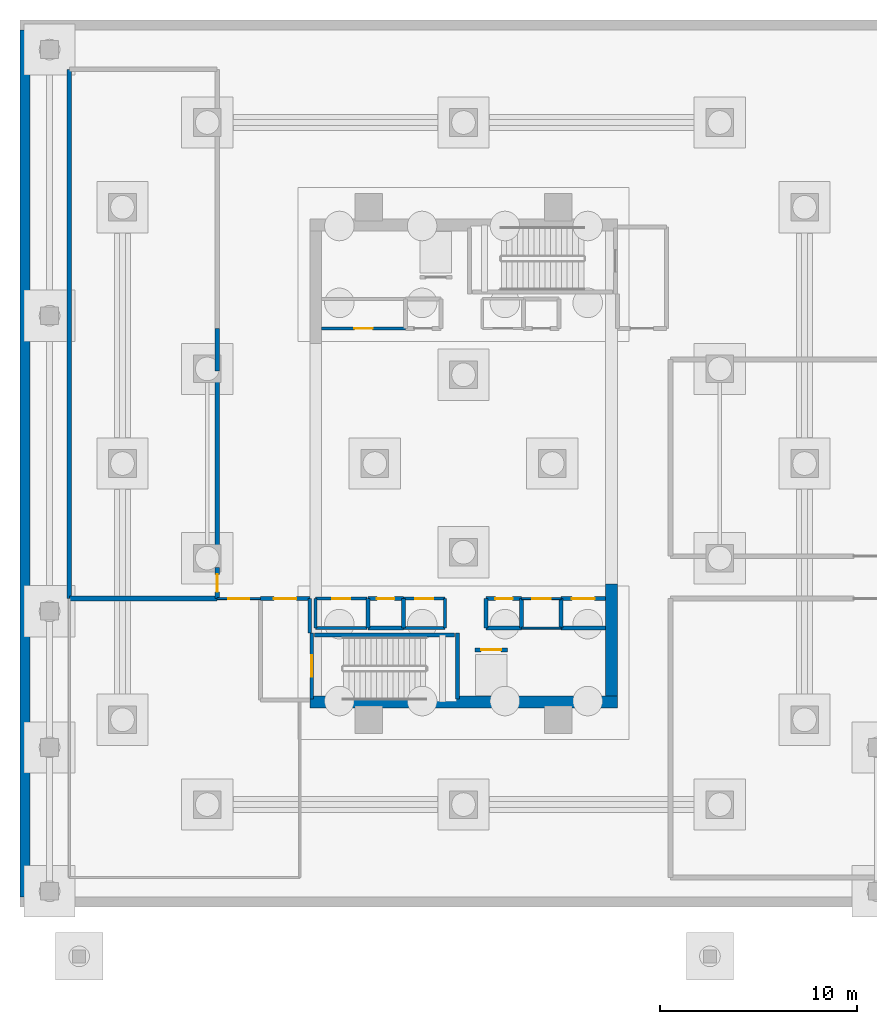
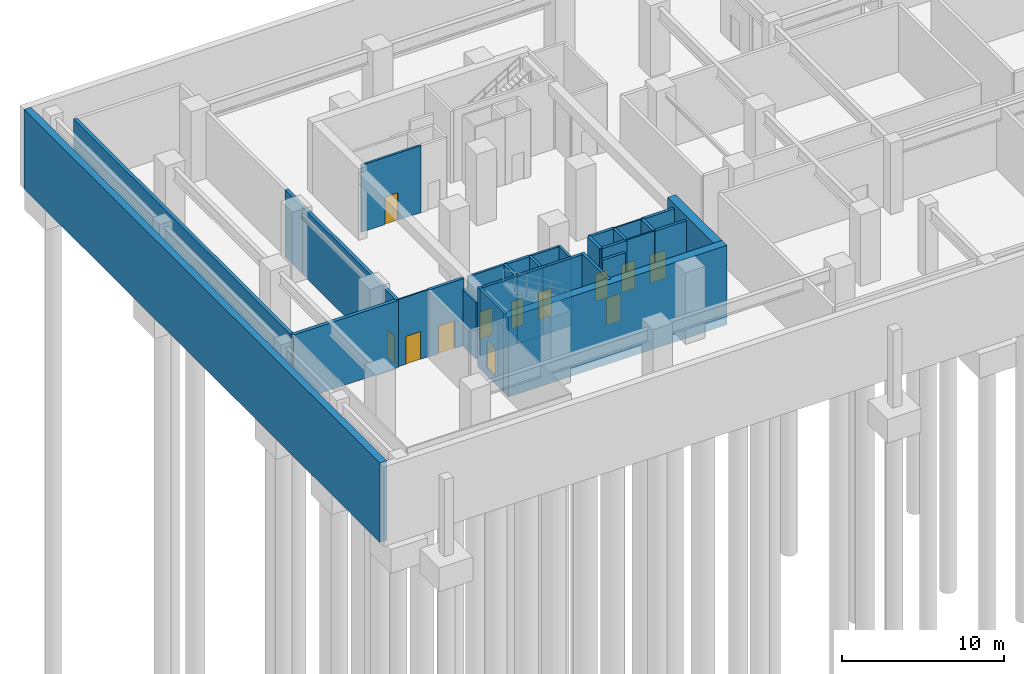
# One storey, part 4 of 14: 35 walls, 12 doors, 12 openings.
"""IFC4 building model written with IfcOpenShell, lengths in metres."""

from ifc_helpers import new_model, si_unit, direction, frame, frame_2d, origin, place, context, subcontext, project, spatial, rectangle, extrude, material, layer, layer_set, type_object, element, fill, save


model = new_model("IFC4")

# Units and contexts
model_context = context("Model", 3, precision=1e-05, world=origin(), true_north=direction((0.0, 1.0)))
body_context = subcontext(model_context, "Body", "Model", "MODEL_VIEW")
ifc_project = project(units=[si_unit("LENGTHUNIT", "METRE"), si_unit("AREAUNIT", "SQUARE_METRE"), si_unit("VOLUMEUNIT", "CUBIC_METRE"), si_unit("PLANEANGLEUNIT", "RADIAN"), si_unit("MASSUNIT", "GRAM", prefix="KILO")], contexts=[model_context])

# Site, building, storey
site_placement = place(None, origin())
site = spatial("IfcSite", under=ifc_project, at=site_placement, CompositionType="ELEMENT")
building_placement = place(site_placement, origin())
building = spatial("IfcBuilding", under=site, at=building_placement, Name="Thornwick Lancets Civic Towers", CompositionType="ELEMENT")
storey_placement = place(building_placement, frame((0.0, 0.0, -5.39990234375)))
storey = spatial("IfcBuildingStorey", under=building, at=storey_placement, Name="B01", CompositionType="ELEMENT", Elevation=-5.39990234375)

# Wall, opening, door
ifc_material_1 = material(Name="Concrete blockwork C40/50", Category="masonry")
ifc_layer_1 = layer(ifc_material_1, 0.199951171875, Name="Concrete blockwork C40/50")
ifc_layer_set_1 = layer_set([ifc_layer_1], Name="Concrete blockwork C40/50")
wall_type_1 = type_object("IfcWallType", Name="WALL_COMP_200", PredefinedType="STANDARD", material=ifc_layer_set_1)
wall_1_placement = place(storey_placement, frame((26.080078125, 17.550048828125, 0.0), z_axis=(0.0, 0.0, 1.0), x_axis=(1.0, 0.0, 0.0)))
wall_1 = element("IfcWall", 1, at=wall_1_placement, inside=storey, type_object=wall_type_1, Name="B01 Hoistway Front Wall FL-A1", PredefinedType="STANDARD", context=body_context, shape_type="SweptSolid", body=[
    extrude(rectangle(XDim=1.639892578125, YDim=0.199951171875, at=frame_2d((0.81982421875, 0.0))), origin(), (0.0, 0.0, 1.0), 5.059814453125),
])
opening_1_placement = place(wall_1_placement, frame((0.31005859375, 0.0, 0.0)))
opening_1 = element("IfcOpeningElement", 2, at=opening_1_placement, cuts=wall_1, Name="Opening LD-FL-A1", PredefinedType="OPENING", context=body_context, shape_type="SweptSolid", body=[
    extrude(rectangle(XDim=1.02001953125, YDim=2.06005859375, at=frame_2d((0.510009765625, 1.030029296875))), frame((0.0, 0.10986328125, 0.0), z_axis=(0.0, -1.0, 0.0), x_axis=(1.0, 0.0, 0.0)), (0.0, 0.0, 1.0), 0.219970703125),
])
ifc_material_2 = material(Name="Brushed bronze stainless steel", Category="steel")
door_type_1 = type_object("IfcDoorType", Name="DOOR_LIFT_SLIDE", OperationType="SLIDING_TO_LEFT", PredefinedType="DOOR", material=ifc_material_2)
door_1_placement = place(opening_1_placement, origin())
door_1 = element("IfcDoor", 3, at=door_1_placement, inside=storey, type_object=door_type_1, Name="B01 Sliding Lift Landing Door LD-FL-A1", OperationType="SLIDING_TO_LEFT", OverallHeight=2.06005859375, OverallWidth=1.02001953125, PredefinedType="DOOR", context=body_context, shape_type="SweptSolid", body=[
    extrude(rectangle(XDim=1.02001953125, YDim=2.06005859375, at=frame_2d((0.510009765625, 1.030029296875))), frame((0.0, 0.02490234375, 0.0), z_axis=(0.0, -1.0, 0.0), x_axis=(1.0, 0.0, 0.0)), (0.0, 0.0, 1.0), 0.050048828125),
])
fill(opening_1, door_1)

# Wall
wall_2_placement = place(storey_placement, frame((17.699951171875, 18.39990234375, 0.0), z_axis=(0.0, 0.0, 1.0), x_axis=(0.0, 1.0, 0.0)))
element("IfcWall", 4, at=wall_2_placement, inside=storey, type_object=wall_type_1, Name="B01 Partition B01-A-FFLOB1 E2", PredefinedType="STANDARD", context=body_context, shape_type="SweptSolid", body=[
    extrude(rectangle(XDim=1.75, YDim=0.199951171875, at=frame_2d((0.875, 0.0))), origin(), (0.0, 0.0, 1.0), 4.264892578125),
])

# Wall, opening, door
wall_3_placement = place(storey_placement, frame((17.699951171875, 20.14990234375, 0.0), z_axis=(0.0, 0.0, 1.0), x_axis=(-1.0, 0.0, 0.0)))
wall_3 = element("IfcWall", 5, at=wall_3_placement, inside=storey, type_object=wall_type_1, Name="B01 Partition B01-A-FFLOB1 E3", PredefinedType="STANDARD", context=body_context, shape_type="SweptSolid", body=[
    extrude(rectangle(XDim=2.5, YDim=0.199951171875, at=frame_2d((1.25, 0.0))), origin(), (0.0, 0.0, 1.0), 5.059814453125),
])
opening_2_placement = place(wall_3_placement, frame((0.675048828125, 0.0, 0.0)))
opening_2 = element("IfcOpeningElement", 6, at=opening_2_placement, cuts=wall_3, Name="Opening D-B01-0007", PredefinedType="OPENING", context=body_context, shape_type="SweptSolid", body=[
    extrude(rectangle(XDim=1.14990234375, YDim=2.10009765625, at=frame_2d((0.574951171875, 1.050048828125))), frame((0.0, 0.10986328125, 0.0), z_axis=(0.0, -1.0, 0.0), x_axis=(1.0, 0.0, 0.0)), (0.0, 0.0, 1.0), 0.219970703125),
])
ifc_material_3 = material(Name="Glazed fire-resisting steel", Category="steel")
door_type_2 = type_object("IfcDoorType", Name="DOOR_LOBBY_FD60", OperationType="NOTDEFINED", PredefinedType="DOOR", material=ifc_material_3)
door_2_placement = place(opening_2_placement, origin())
door_2 = element("IfcDoor", 7, at=door_2_placement, inside=storey, type_object=door_type_2, Name="B01 South Firefighting Lobby 1 Door", OperationType="SINGLE_SWING_RIGHT", OverallHeight=2.10009765625, OverallWidth=1.14990234375, PredefinedType="DOOR", context=body_context, shape_type="SweptSolid", body=[
    extrude(rectangle(XDim=1.14990234375, YDim=2.10009765625, at=frame_2d((0.574951171875, 1.050048828125))), frame((0.0, 0.02490234375, 0.0), z_axis=(0.0, -1.0, 0.0), x_axis=(1.0, 0.0, 0.0)), (0.0, 0.0, 1.0), 0.050048828125),
])
fill(opening_2, door_2)

# Walls
wall_4_placement = place(storey_placement, frame((26.64990234375, 18.64990234375, 0.0), z_axis=(0.0, 0.0, 1.0), x_axis=(1.0, 0.0, 0.0)))
element("IfcWall", 8, at=wall_4_placement, inside=storey, type_object=wall_type_1, Name="B01 Partition B01-A-DUCT1 E1", PredefinedType="STANDARD", context=body_context, shape_type="SweptSolid", body=[
    extrude(rectangle(XDim=1.800048828125, YDim=0.199951171875, at=frame_2d((0.89990234375, 0.0))), origin(), (0.0, 0.0, 1.0), 5.059814453125),
])
wall_5_placement = place(storey_placement, frame((28.449951171875, 18.64990234375, 0.0), z_axis=(0.0, 0.0, 1.0), x_axis=(0.0, 1.0, 0.0)))
element("IfcWall", 9, at=wall_5_placement, inside=storey, type_object=wall_type_1, Name="B01 Partition B01-A-DUCT1 E2", PredefinedType="STANDARD", context=body_context, shape_type="SweptSolid", body=[
    extrude(rectangle(XDim=1.5, YDim=0.199951171875, at=frame_2d((0.75, 0.0))), origin(), (0.0, 0.0, 1.0), 5.059814453125),
])

# Wall, opening, door
wall_6_placement = place(storey_placement, frame((28.449951171875, 20.14990234375, 0.0), z_axis=(0.0, 0.0, 1.0), x_axis=(-1.0, 0.0, 0.0)))
wall_6 = element("IfcWall", 10, at=wall_6_placement, inside=storey, type_object=wall_type_1, Name="B01 Partition B01-A-DUCT1 E3", PredefinedType="STANDARD", context=body_context, shape_type="SweptSolid", body=[
    extrude(rectangle(XDim=1.800048828125, YDim=0.199951171875, at=frame_2d((0.89990234375, 0.0))), origin(), (0.0, 0.0, 1.0), 5.059814453125),
])
opening_3_placement = place(wall_6_placement, frame((0.4599609375, 0.0, 0.0)))
opening_3 = element("IfcOpeningElement", 11, at=opening_3_placement, cuts=wall_6, Name="Opening D-B01-0009", PredefinedType="OPENING", context=body_context, shape_type="SweptSolid", body=[
    extrude(rectangle(XDim=0.8798828125, YDim=2.0400390625, at=frame_2d((0.43994140625, 1.02001953125))), frame((0.0, 0.10986328125, 0.0), z_axis=(0.0, -1.0, 0.0), x_axis=(1.0, 0.0, 0.0)), (0.0, 0.0, 1.0), 0.219970703125),
])
ifc_material_4 = material(Name="Steel riser access doorset", Category="steel")
door_type_3 = type_object("IfcDoorType", Name="DOOR_RISER_850", OperationType="NOTDEFINED", PredefinedType="DOOR", material=ifc_material_4)
door_3_placement = place(opening_3_placement, origin())
door_3 = element("IfcDoor", 12, at=door_3_placement, inside=storey, type_object=door_type_3, Name="B01 South Service Duct 1 Door", OperationType="SINGLE_SWING_RIGHT", OverallHeight=2.0400390625, OverallWidth=0.8798828125, PredefinedType="DOOR", context=body_context, shape_type="SweptSolid", body=[
    extrude(rectangle(XDim=0.8798828125, YDim=2.0400390625, at=frame_2d((0.43994140625, 1.02001953125))), frame((0.0, 0.02490234375, 0.0), z_axis=(0.0, -1.0, 0.0), x_axis=(1.0, 0.0, 0.0)), (0.0, 0.0, 1.0), 0.050048828125),
])
fill(opening_3, door_3)

# Walls
wall_7_placement = place(storey_placement, frame((26.64990234375, 20.14990234375, 0.0), z_axis=(0.0, 0.0, 1.0), x_axis=(0.0, -1.0, 0.0)))
element("IfcWall", 13, at=wall_7_placement, inside=storey, type_object=wall_type_1, Name="B01 Partition B01-A-DUCT1 E4", PredefinedType="STANDARD", context=body_context, shape_type="SweptSolid", body=[
    extrude(rectangle(XDim=1.5, YDim=0.199951171875, at=frame_2d((0.75, 0.0))), origin(), (0.0, 0.0, 1.0), 5.059814453125),
])
wall_8_placement = place(storey_placement, frame((20.64990234375, 18.64990234375, 0.0), z_axis=(0.0, 0.0, 1.0), x_axis=(1.0, 0.0, 0.0)))
element("IfcWall", 14, at=wall_8_placement, inside=storey, type_object=wall_type_1, Name="B01 Partition B01-A-RISER1 E1", PredefinedType="STANDARD", context=body_context, shape_type="SweptSolid", body=[
    extrude(rectangle(XDim=1.800048828125, YDim=0.199951171875, at=frame_2d((0.89990234375, 0.0))), origin(), (0.0, 0.0, 1.0), 5.059814453125),
])
wall_9_placement = place(storey_placement, frame((22.449951171875, 18.64990234375, 0.0), z_axis=(0.0, 0.0, 1.0), x_axis=(0.0, 1.0, 0.0)))
element("IfcWall", 15, at=wall_9_placement, inside=storey, type_object=wall_type_1, Name="B01 Partition B01-A-RISER1 E2", PredefinedType="STANDARD", context=body_context, shape_type="SweptSolid", body=[
    extrude(rectangle(XDim=1.5, YDim=0.199951171875, at=frame_2d((0.75, 0.0))), origin(), (0.0, 0.0, 1.0), 5.059814453125),
])

# Wall, opening, door
wall_10_placement = place(storey_placement, frame((22.449951171875, 20.14990234375, 0.0), z_axis=(0.0, 0.0, 1.0), x_axis=(-1.0, 0.0, 0.0)))
wall_10 = element("IfcWall", 16, at=wall_10_placement, inside=storey, type_object=wall_type_1, Name="B01 Partition B01-A-RISER1 E3", PredefinedType="STANDARD", context=body_context, shape_type="SweptSolid", body=[
    extrude(rectangle(XDim=1.800048828125, YDim=0.199951171875, at=frame_2d((0.89990234375, 0.0))), origin(), (0.0, 0.0, 1.0), 5.059814453125),
])
opening_4_placement = place(wall_10_placement, frame((0.4599609375, 0.0, 0.0)))
opening_4 = element("IfcOpeningElement", 17, at=opening_4_placement, cuts=wall_10, Name="Opening D-B01-0010", PredefinedType="OPENING", context=body_context, shape_type="SweptSolid", body=[
    extrude(rectangle(XDim=0.8798828125, YDim=2.0400390625, at=frame_2d((0.43994140625, 1.02001953125))), frame((0.0, 0.10986328125, 0.0), z_axis=(0.0, -1.0, 0.0), x_axis=(1.0, 0.0, 0.0)), (0.0, 0.0, 1.0), 0.219970703125),
])
door_4_placement = place(opening_4_placement, origin())
door_4 = element("IfcDoor", 18, at=door_4_placement, inside=storey, type_object=door_type_3, Name="B01 South Electrical Riser 1 Door", OperationType="SINGLE_SWING_LEFT", OverallHeight=2.0400390625, OverallWidth=0.8798828125, PredefinedType="DOOR", context=body_context, shape_type="SweptSolid", body=[
    extrude(rectangle(XDim=0.8798828125, YDim=2.0400390625, at=frame_2d((0.43994140625, 1.02001953125))), frame((0.0, 0.02490234375, 0.0), z_axis=(0.0, -1.0, 0.0), x_axis=(1.0, 0.0, 0.0)), (0.0, 0.0, 1.0), 0.050048828125),
])
fill(opening_4, door_4)

# Walls
wall_11_placement = place(storey_placement, frame((20.64990234375, 20.14990234375, 0.0), z_axis=(0.0, 0.0, 1.0), x_axis=(0.0, -1.0, 0.0)))
element("IfcWall", 19, at=wall_11_placement, inside=storey, type_object=wall_type_1, Name="B01 Partition B01-A-RISER1 E4", PredefinedType="STANDARD", context=body_context, shape_type="SweptSolid", body=[
    extrude(rectangle(XDim=1.5, YDim=0.199951171875, at=frame_2d((0.75, 0.0))), origin(), (0.0, 0.0, 1.0), 5.059814453125),
])
wall_12_placement = place(storey_placement, frame((32.699951171875, 18.64990234375, 0.0), z_axis=(0.0, 0.0, 1.0), x_axis=(-1.0, 0.0, 0.0)))
element("IfcWall", 20, at=wall_12_placement, inside=storey, type_object=wall_type_1, Name="B01 Partition B01-A-ITR2 E2", PredefinedType="STANDARD", context=body_context, shape_type="SweptSolid", body=[
    extrude(rectangle(XDim=2.25, YDim=0.199951171875, at=frame_2d((1.125, 0.0))), origin(), (0.0, 0.0, 1.0), 5.059814453125),
])
wall_13_placement = place(storey_placement, frame((30.449951171875, 18.64990234375, 0.0), z_axis=(0.0, 0.0, 1.0), x_axis=(0.0, 1.0, 0.0)))
element("IfcWall", 21, at=wall_13_placement, inside=storey, type_object=wall_type_1, Name="B01 Partition B01-A-ITR2 E3", PredefinedType="STANDARD", context=body_context, shape_type="SweptSolid", body=[
    extrude(rectangle(XDim=1.5, YDim=0.199951171875, at=frame_2d((0.75, 0.0))), origin(), (0.0, 0.0, 1.0), 5.059814453125),
])

# Wall, opening, door
wall_14_placement = place(storey_placement, frame((30.449951171875, 20.14990234375, 0.0), z_axis=(0.0, 0.0, 1.0), x_axis=(1.0, 0.0, 0.0)))
wall_14 = element("IfcWall", 22, at=wall_14_placement, inside=storey, type_object=wall_type_1, Name="B01 Partition B01-A-ITR2 E4", PredefinedType="STANDARD", context=body_context, shape_type="SweptSolid", body=[
    extrude(rectangle(XDim=2.25, YDim=0.199951171875, at=frame_2d((1.125, 0.0))), origin(), (0.0, 0.0, 1.0), 5.059814453125),
])
opening_5_placement = place(wall_14_placement, frame((0.550048828125, 0.0, 0.0)))
opening_5 = element("IfcOpeningElement", 23, at=opening_5_placement, cuts=wall_14, Name="Opening D-B01-0016", PredefinedType="OPENING", context=body_context, shape_type="SweptSolid", body=[
    extrude(rectangle(XDim=1.14990234375, YDim=2.10009765625, at=frame_2d((0.574951171875, 1.050048828125))), frame((0.0, 0.10986328125, 0.0), z_axis=(0.0, -1.0, 0.0), x_axis=(1.0, 0.0, 0.0)), (0.0, 0.0, 1.0), 0.219970703125),
])
door_5_placement = place(opening_5_placement, origin())
door_5 = element("IfcDoor", 24, at=door_5_placement, inside=storey, type_object=door_type_2, Name="B01 Tower A Statutory Core Archive Door", OperationType="SINGLE_SWING_LEFT", OverallHeight=2.10009765625, OverallWidth=1.14990234375, PredefinedType="DOOR", context=body_context, shape_type="SweptSolid", body=[
    extrude(rectangle(XDim=1.14990234375, YDim=2.10009765625, at=frame_2d((0.574951171875, 1.050048828125))), frame((0.0, 0.02490234375, 0.0), z_axis=(0.0, -1.0, 0.0), x_axis=(1.0, 0.0, 0.0)), (0.0, 0.0, 1.0), 0.050048828125),
])
fill(opening_5, door_5)

# Walls
ifc_layer_2 = layer(ifc_material_1, 0.239990234375, Name="Concrete blockwork C40/50")
ifc_layer_set_2 = layer_set([ifc_layer_2], Name="Concrete blockwork C40/50")
wall_type_2 = type_object("IfcWallType", Name="WALL_COMP_240", PredefinedType="STANDARD", material=ifc_layer_set_2)
wall_15_placement = place(storey_placement, frame((5.5, 20.14990234375, 0.0), z_axis=(0.0, 0.0, 1.0), x_axis=(0.0, 1.0, 0.0)))
element("IfcWall", 25, at=wall_15_placement, inside=storey, type_object=wall_type_2, Name="B01 Partition B01-WASTE E1", PredefinedType="STANDARD", context=body_context, shape_type="SweptSolid", body=[
    extrude(rectangle(XDim=26.85009765625, YDim=0.239990234375, at=frame_2d((13.425048828125, 0.0))), origin(), (0.0, 0.0, 1.0), 5.059814453125),
])
wall_16_placement = place(storey_placement, frame((13.0, 33.85009765625, 0.0), z_axis=(0.0, 0.0, 1.0), x_axis=(0.0, -1.0, 0.0)))
element("IfcWall", 26, at=wall_16_placement, inside=storey, type_object=wall_type_2, Name="B01 Partition B01-WASTE E4", PredefinedType="STANDARD", context=body_context, shape_type="SweptSolid", body=[
    extrude(rectangle(XDim=2.150146484375, YDim=0.239990234375, at=frame_2d((1.0751953125, 0.0))), origin(), (0.0, 0.0, 1.0), 5.059814453125),
])
wall_17_placement = place(storey_placement, frame((13.0, 31.699951171875, 0.0), z_axis=(0.0, 0.0, 1.0), x_axis=(0.0, -1.0, 0.0)))
element("IfcWall", 27, at=wall_17_placement, inside=storey, type_object=wall_type_2, Name="B01 Partition B01-WASTE E5", PredefinedType="STANDARD", context=body_context, shape_type="SweptSolid", body=[
    extrude(rectangle(XDim=9.97998046875, YDim=0.239990234375, at=frame_2d((4.989990234375, 0.0))), origin(), (0.0, 0.0, 1.0), 5.059814453125),
])

# Wall, opening, door
wall_18_placement = place(storey_placement, frame((13.0, 21.719970703125, 0.0), z_axis=(0.0, 0.0, 1.0), x_axis=(0.0, -1.0, 0.0)))
wall_18 = element("IfcWall", 28, at=wall_18_placement, inside=storey, type_object=wall_type_2, Name="B01 Partition B01-WASTE E6", PredefinedType="STANDARD", context=body_context, shape_type="SweptSolid", body=[
    extrude(rectangle(XDim=1.570068359375, YDim=0.239990234375, at=frame_2d((0.78515625, 0.0))), origin(), (0.0, 0.0, 1.0), 5.059814453125),
])
opening_6_placement = place(wall_18_placement, frame((0.344970703125, 0.0, 0.0)))
opening_6 = element("IfcOpeningElement", 29, at=opening_6_placement, cuts=wall_18, Name="Opening D-B01-0037", PredefinedType="OPENING", context=body_context, shape_type="SweptSolid", body=[
    extrude(rectangle(XDim=0.8798828125, YDim=2.0400390625, at=frame_2d((0.43994140625, 1.02001953125))), frame((0.0, 0.1298828125, 0.0), z_axis=(0.0, -1.0, 0.0), x_axis=(1.0, 0.0, 0.0)), (0.0, 0.0, 1.0), 0.260009765625),
])
door_6_placement = place(opening_6_placement, origin())
door_6 = element("IfcDoor", 30, at=door_6_placement, inside=storey, type_object=door_type_3, Name="Refuse Compaction and Recycling Plant Door", OperationType="SINGLE_SWING_RIGHT", OverallHeight=2.0400390625, OverallWidth=0.8798828125, PredefinedType="DOOR", context=body_context, shape_type="SweptSolid", body=[
    extrude(rectangle(XDim=0.8798828125, YDim=2.0400390625, at=frame_2d((0.43994140625, 1.02001953125))), frame((0.0, 0.02490234375, 0.0), z_axis=(0.0, -1.0, 0.0), x_axis=(1.0, 0.0, 0.0)), (0.0, 0.0, 1.0), 0.050048828125),
])
fill(opening_6, door_6)

# Walls
wall_19_placement = place(storey_placement, frame((13.0, 20.14990234375, 0.0), z_axis=(0.0, 0.0, 1.0), x_axis=(-1.0, 0.0, 0.0)))
element("IfcWall", 31, at=wall_19_placement, inside=storey, type_object=wall_type_2, Name="B01 Partition B01-WASTE E7", PredefinedType="STANDARD", context=body_context, shape_type="SweptSolid", body=[
    extrude(rectangle(XDim=7.5, YDim=0.239990234375, at=frame_2d((3.75, 0.0))), origin(), (0.0, 0.0, 1.0), 5.059814453125),
])
ifc_material_5 = material(Name="Concrete C60/75", Category="concrete")
ifc_layer_3 = layer(ifc_material_5, 0.60009765625, Name="Concrete C60/75")
ifc_layer_set_3 = layer_set([ifc_layer_3], Name="Concrete C60/75")
wall_type_3 = type_object("IfcWallType", Name="WALL_CORE_600", PredefinedType="SHEAR", material=ifc_layer_set_3)
wall_20_placement = place(storey_placement, frame((17.699951171875, 14.89990234375, -0.60009765625), z_axis=(0.0, 0.0, 1.0), x_axis=(1.0, 0.0, 0.0)))
element("IfcWall", 32, at=wall_20_placement, inside=storey, type_object=wall_type_3, Name="B01 Split Core A1 Shear Wall S", PredefinedType="SHEAR", context=body_context, shape_type="SweptSolid", body=[
    extrude(rectangle(XDim=15.60009765625, YDim=0.60009765625, at=frame_2d((7.800048828125, 0.0))), origin(), (0.0, 0.0, 1.0), 6.0),
])
wall_21_placement = place(storey_placement, frame((33.0, 15.199951171875, -0.60009765625), z_axis=(0.0, 0.0, 1.0), x_axis=(0.0, 1.0, 0.0)))
element("IfcWall", 33, at=wall_21_placement, inside=storey, type_object=wall_type_3, Name="B01 Split Core A1 Shear Wall E", PredefinedType="SHEAR", context=body_context, shape_type="SweptSolid", body=[
    extrude(rectangle(XDim=5.699951171875, YDim=0.60009765625, at=frame_2d((2.85009765625, 0.0))), origin(), (0.0, 0.0, 1.0), 6.0),
])
ifc_material_6 = material(Name="Lightweight cellular office partition")
ifc_layer_4 = layer(ifc_material_6, 0.10009765625, Name="Lightweight cellular office partition")
ifc_layer_set_4 = layer_set([ifc_layer_4], Name="Lightweight cellular office partition")
wall_type_4 = type_object("IfcWallType", Name="WALL_PART_100", PredefinedType="PARTITIONING", material=ifc_layer_set_4)
wall_22_placement = place(storey_placement, frame((30.449951171875, 18.64990234375, 0.0), z_axis=(0.0, 0.0, 1.0), x_axis=(-1.0, 0.0, 0.0)))
element("IfcWall", 34, at=wall_22_placement, inside=storey, type_object=wall_type_4, Name="B01 Partition B01-A-CLN E2", PredefinedType="PARTITIONING", context=body_context, shape_type="SweptSolid", body=[
    extrude(rectangle(XDim=2.0, YDim=0.10009765625, at=frame_2d((1.0, 0.0))), origin(), (0.0, 0.0, 1.0), 5.059814453125),
])

# Wall, opening, door
wall_23_placement = place(storey_placement, frame((28.449951171875, 20.14990234375, 0.0), z_axis=(0.0, 0.0, 1.0), x_axis=(1.0, 0.0, 0.0)))
wall_23 = element("IfcWall", 35, at=wall_23_placement, inside=storey, type_object=wall_type_4, Name="B01 Partition B01-A-CLN E4", PredefinedType="PARTITIONING", context=body_context, shape_type="SweptSolid", body=[
    extrude(rectangle(XDim=2.0, YDim=0.10009765625, at=frame_2d((1.0, 0.0))), origin(), (0.0, 0.0, 1.0), 5.059814453125),
])
opening_7_placement = place(wall_23_placement, frame((0.52490234375, 0.0, 0.0)))
opening_7 = element("IfcOpeningElement", 36, at=opening_7_placement, cuts=wall_23, Name="Opening D-B01-0015", PredefinedType="OPENING", context=body_context, shape_type="SweptSolid", body=[
    extrude(rectangle(XDim=0.949951171875, YDim=2.10009765625, at=frame_2d((0.47509765625, 1.050048828125))), frame((0.0, 0.06005859375, 0.0), z_axis=(0.0, -1.0, 0.0), x_axis=(1.0, 0.0, 0.0)), (0.0, 0.0, 1.0), 0.1201171875),
])
ifc_material_7 = material(Name="European oak acoustic doorset")
door_type_4 = type_object("IfcDoorType", Name="DOOR_OFFICE_950", OperationType="NOTDEFINED", PredefinedType="DOOR", material=ifc_material_7)
door_7_placement = place(opening_7_placement, origin())
door_7 = element("IfcDoor", 37, at=door_7_placement, inside=storey, type_object=door_type_4, Name="B01 Tower A Cleaners Store Door", OperationType="SINGLE_SWING_RIGHT", OverallHeight=2.10009765625, OverallWidth=0.949951171875, PredefinedType="DOOR", context=body_context, shape_type="SweptSolid", body=[
    extrude(rectangle(XDim=0.949951171875, YDim=2.10009765625, at=frame_2d((0.47509765625, 1.050048828125))), frame((0.0, 0.02490234375, 0.0), z_axis=(0.0, -1.0, 0.0), x_axis=(1.0, 0.0, 0.0)), (0.0, 0.0, 1.0), 0.050048828125),
])
fill(opening_7, door_7)

wall_24_placement = place(storey_placement, frame((13.0, 20.14990234375, 0.0), z_axis=(0.0, 0.0, 1.0), x_axis=(1.0, 0.0, 0.0)))
wall_24 = element("IfcWall", 38, at=wall_24_placement, inside=storey, type_object=wall_type_4, Name="B01 Partition B01-CYCLE E4", PredefinedType="PARTITIONING", context=body_context, shape_type="SweptSolid", body=[
    extrude(rectangle(XDim=2.199951171875, YDim=0.10009765625, at=frame_2d((1.10009765625, 0.0))), origin(), (0.0, 0.0, 1.0), 5.059814453125),
])
opening_8_placement = place(wall_24_placement, frame((0.574951171875, 0.0, 0.0)))
opening_8 = element("IfcOpeningElement", 39, at=opening_8_placement, cuts=wall_24, Name="Opening D-B01-0031", PredefinedType="OPENING", context=body_context, shape_type="SweptSolid", body=[
    extrude(rectangle(XDim=1.050048828125, YDim=2.10009765625, at=frame_2d((0.52490234375, 1.050048828125))), frame((0.0, 0.06005859375, 0.0), z_axis=(0.0, -1.0, 0.0), x_axis=(1.0, 0.0, 0.0)), (0.0, 0.0, 1.0), 0.1201171875),
])
ifc_material_8 = material(Name="Glazed European oak executive doorset")
door_type_5 = type_object("IfcDoorType", Name="DOOR_OFFICE_1050", OperationType="NOTDEFINED", PredefinedType="DOOR", material=ifc_material_8)
door_8_placement = place(opening_8_placement, origin())
door_8 = element("IfcDoor", 40, at=door_8_placement, inside=storey, type_object=door_type_5, Name="Secure Staff Cycle Store Door", OperationType="SINGLE_SWING_RIGHT", OverallHeight=2.10009765625, OverallWidth=1.050048828125, PredefinedType="DOOR", context=body_context, shape_type="SweptSolid", body=[
    extrude(rectangle(XDim=1.050048828125, YDim=2.10009765625, at=frame_2d((0.52490234375, 1.050048828125))), frame((0.0, 0.02490234375, 0.0), z_axis=(0.0, -1.0, 0.0), x_axis=(1.0, 0.0, 0.0)), (0.0, 0.0, 1.0), 0.050048828125),
])
fill(opening_8, door_8)

# Wall
ifc_material_9 = material(Name="Twin-stud acoustic gypsum board")
ifc_layer_5 = layer(ifc_material_9, 0.14990234375, Name="Twin-stud acoustic gypsum board")
ifc_layer_set_5 = layer_set([ifc_layer_5], Name="Twin-stud acoustic gypsum board")
wall_type_5 = type_object("IfcWallType", Name="WALL_PART_150", PredefinedType="PARTITIONING", material=ifc_layer_set_5)
wall_25_placement = place(storey_placement, frame((18.0, 18.64990234375, 0.0), z_axis=(0.0, 0.0, 1.0), x_axis=(1.0, 0.0, 0.0)))
element("IfcWall", 41, at=wall_25_placement, inside=storey, type_object=wall_type_5, Name="B01 Partition B01-A-MWC E1", PredefinedType="PARTITIONING", context=body_context, shape_type="SweptSolid", body=[
    extrude(rectangle(XDim=2.60009765625, YDim=0.14990234375, at=frame_2d((1.300048828125, 0.0))), origin(), (0.0, 0.0, 1.0), 5.059814453125),
])

# Wall, opening, door
wall_26_placement = place(storey_placement, frame((20.60009765625, 20.14990234375, 0.0), z_axis=(0.0, 0.0, 1.0), x_axis=(-1.0, 0.0, 0.0)))
wall_26 = element("IfcWall", 42, at=wall_26_placement, inside=storey, type_object=wall_type_5, Name="B01 Partition B01-A-MWC E3", PredefinedType="PARTITIONING", context=body_context, shape_type="SweptSolid", body=[
    extrude(rectangle(XDim=2.60009765625, YDim=0.14990234375, at=frame_2d((1.300048828125, 0.0))), origin(), (0.0, 0.0, 1.0), 5.059814453125),
])
opening_9_placement = place(wall_26_placement, frame((0.840087890625, 0.0, 0.0)))
opening_9 = element("IfcOpeningElement", 43, at=opening_9_placement, cuts=wall_26, Name="Opening D-B01-0013", PredefinedType="OPENING", context=body_context, shape_type="SweptSolid", body=[
    extrude(rectangle(XDim=0.919921875, YDim=2.080078125, at=frame_2d((0.4599609375, 1.0400390625))), frame((0.0, 0.0849609375, 0.0), z_axis=(0.0, -1.0, 0.0), x_axis=(1.0, 0.0, 0.0)), (0.0, 0.0, 1.0), 0.169921875),
])
ifc_material_10 = material(Name="Moisture-resistant oak doorset")
door_type_6 = type_object("IfcDoorType", Name="DOOR_WC_900", OperationType="NOTDEFINED", PredefinedType="DOOR", material=ifc_material_10)
door_9_placement = place(opening_9_placement, origin())
door_9 = element("IfcDoor", 44, at=door_9_placement, inside=storey, type_object=door_type_6, Name="B01 Tower A Male WC Door", OperationType="SINGLE_SWING_RIGHT", OverallHeight=2.080078125, OverallWidth=0.919921875, PredefinedType="DOOR", context=body_context, shape_type="SweptSolid", body=[
    extrude(rectangle(XDim=0.919921875, YDim=2.080078125, at=frame_2d((0.4599609375, 1.0400390625))), frame((0.0, 0.02490234375, 0.0), z_axis=(0.0, -1.0, 0.0), x_axis=(1.0, 0.0, 0.0)), (0.0, 0.0, 1.0), 0.050048828125),
])
fill(opening_9, door_9)

# Walls
wall_27_placement = place(storey_placement, frame((18.0, 20.14990234375, 0.0), z_axis=(0.0, 0.0, 1.0), x_axis=(0.0, -1.0, 0.0)))
element("IfcWall", 45, at=wall_27_placement, inside=storey, type_object=wall_type_5, Name="B01 Partition B01-A-MWC E4", PredefinedType="PARTITIONING", context=body_context, shape_type="SweptSolid", body=[
    extrude(rectangle(XDim=1.5, YDim=0.14990234375, at=frame_2d((0.75, 0.0))), origin(), (0.0, 0.0, 1.0), 4.264892578125),
])
wall_28_placement = place(storey_placement, frame((24.550048828125, 20.14990234375, 0.0), z_axis=(0.0, 0.0, 1.0), x_axis=(0.0, -1.0, 0.0)))
element("IfcWall", 46, at=wall_28_placement, inside=storey, type_object=wall_type_5, Name="B01 Partition B01-A-AWC E1", PredefinedType="PARTITIONING", context=body_context, shape_type="SweptSolid", body=[
    extrude(rectangle(XDim=1.5, YDim=0.14990234375, at=frame_2d((0.75, 0.0))), origin(), (0.0, 0.0, 1.0), 5.059814453125),
])
wall_29_placement = place(storey_placement, frame((24.550048828125, 18.64990234375, 0.0), z_axis=(0.0, 0.0, 1.0), x_axis=(-1.0, 0.0, 0.0)))
element("IfcWall", 47, at=wall_29_placement, inside=storey, type_object=wall_type_5, Name="B01 Partition B01-A-AWC E2", PredefinedType="PARTITIONING", context=body_context, shape_type="SweptSolid", body=[
    extrude(rectangle(XDim=2.10009765625, YDim=0.14990234375, at=frame_2d((1.050048828125, 0.0))), origin(), (0.0, 0.0, 1.0), 5.059814453125),
])

# Wall, opening, door
wall_30_placement = place(storey_placement, frame((22.449951171875, 20.14990234375, 0.0), z_axis=(0.0, 0.0, 1.0), x_axis=(1.0, 0.0, 0.0)))
wall_30 = element("IfcWall", 48, at=wall_30_placement, inside=storey, type_object=wall_type_5, Name="B01 Partition B01-A-AWC E4", PredefinedType="PARTITIONING", context=body_context, shape_type="SweptSolid", body=[
    extrude(rectangle(XDim=2.10009765625, YDim=0.14990234375, at=frame_2d((1.050048828125, 0.0))), origin(), (0.0, 0.0, 1.0), 5.059814453125),
])
opening_10_placement = place(wall_30_placement, frame((0.590087890625, 0.0, 0.0)))
opening_10 = element("IfcOpeningElement", 49, at=opening_10_placement, cuts=wall_30, Name="Opening D-B01-0014", PredefinedType="OPENING", context=body_context, shape_type="SweptSolid", body=[
    extrude(rectangle(XDim=0.919921875, YDim=2.080078125, at=frame_2d((0.4599609375, 1.0400390625))), frame((0.0, 0.0849609375, 0.0), z_axis=(0.0, -1.0, 0.0), x_axis=(1.0, 0.0, 0.0)), (0.0, 0.0, 1.0), 0.169921875),
])
door_10_placement = place(opening_10_placement, origin())
door_10 = element("IfcDoor", 50, at=door_10_placement, inside=storey, type_object=door_type_6, Name="B01 Tower A Accessible WC Door", OperationType="SINGLE_SWING_LEFT", OverallHeight=2.080078125, OverallWidth=0.919921875, PredefinedType="DOOR", context=body_context, shape_type="SweptSolid", body=[
    extrude(rectangle(XDim=0.919921875, YDim=2.080078125, at=frame_2d((0.4599609375, 1.0400390625))), frame((0.0, 0.02490234375, 0.0), z_axis=(0.0, -1.0, 0.0), x_axis=(1.0, 0.0, 0.0)), (0.0, 0.0, 1.0), 0.050048828125),
])
fill(opening_10, door_10)

wall_31_placement = place(storey_placement, frame((22.550048828125, 33.85009765625, 0.0), z_axis=(0.0, 0.0, 1.0), x_axis=(-1.0, 0.0, 0.0)))
wall_31 = element("IfcWall", 51, at=wall_31_placement, inside=storey, type_object=wall_type_5, Name="B01 Partition B01-A-FWC E4", PredefinedType="PARTITIONING", context=body_context, shape_type="SweptSolid", body=[
    extrude(rectangle(XDim=4.25, YDim=0.14990234375, at=frame_2d((2.125, 0.0))), origin(), (0.0, 0.0, 1.0), 5.059814453125),
])
opening_11_placement = place(wall_31_placement, frame((1.6650390625, 0.0, 0.0)))
opening_11 = element("IfcOpeningElement", 52, at=opening_11_placement, cuts=wall_31, Name="Opening D-B01-0017", PredefinedType="OPENING", context=body_context, shape_type="SweptSolid", body=[
    extrude(rectangle(XDim=0.919921875, YDim=2.080078125, at=frame_2d((0.4599609375, 1.0400390625))), frame((0.0, 0.0849609375, 0.0), z_axis=(0.0, -1.0, 0.0), x_axis=(1.0, 0.0, 0.0)), (0.0, 0.0, 1.0), 0.169921875),
])
door_11_placement = place(opening_11_placement, origin())
door_11 = element("IfcDoor", 53, at=door_11_placement, inside=storey, type_object=door_type_6, Name="B01 Tower A Female WC Door", OperationType="SINGLE_SWING_RIGHT", OverallHeight=2.080078125, OverallWidth=0.919921875, PredefinedType="DOOR", context=body_context, shape_type="SweptSolid", body=[
    extrude(rectangle(XDim=0.919921875, YDim=2.080078125, at=frame_2d((0.4599609375, 1.0400390625))), frame((0.0, 0.02490234375, 0.0), z_axis=(0.0, -1.0, 0.0), x_axis=(1.0, 0.0, 0.0)), (0.0, 0.0, 1.0), 0.050048828125),
])
fill(opening_11, door_11)

# Wall
ifc_material_11 = material(Name="Concrete C40/50", Category="concrete")
ifc_layer_6 = layer(ifc_material_11, 0.5, Name="Concrete C40/50")
ifc_layer_set_6 = layer_set([ifc_layer_6], Name="Concrete C40/50")
wall_type_6 = type_object("IfcWallType", Name="WALL_RETAIN_500", PredefinedType="USERDEFINED", material=ifc_layer_set_6)
wall_32_placement = place(storey_placement, frame((3.25, 49.0, -0.60009765625), z_axis=(0.0, 0.0, 1.0), x_axis=(0.0, -1.0, 0.0)))
element("IfcWall", 54, at=wall_32_placement, inside=storey, type_object=wall_type_6, Name="B01 Perimeter Retaining Wall W", ObjectType="RETAININGWALL", PredefinedType="USERDEFINED", context=body_context, shape_type="SweptSolid", body=[
    extrude(rectangle(XDim=44.0, YDim=0.5, at=frame_2d((22.0, 0.0))), origin(), (0.0, 0.0, 1.0), 6.0),
])

# Wall, opening, door
ifc_layer_7 = layer(ifc_material_11, 0.199951171875, Name="Concrete C40/50")
ifc_layer_set_7 = layer_set([ifc_layer_7], Name="Concrete C40/50")
wall_type_7 = type_object("IfcWallType", Name="WALL_SHAFT_200", PredefinedType="SHEAR", material=ifc_layer_set_7)
wall_33_placement = place(storey_placement, frame((17.800048828125, 15.050048828125, -0.60009765625), z_axis=(0.0, 0.0, 1.0), x_axis=(0.0, 1.0, 0.0)))
wall_33 = element("IfcWall", 55, at=wall_33_placement, inside=storey, type_object=wall_type_7, Name="B01 ST-A1 Fire Stair Core Wall NEAR", PredefinedType="SHEAR", context=body_context, shape_type="SweptSolid", body=[
    extrude(rectangle(XDim=3.349853515625, YDim=0.199951171875, at=frame_2d((1.6748046875, 0.0))), origin(), (0.0, 0.0, 1.0), 6.0),
])
opening_12_placement = place(wall_33_placement, frame((1.125, 0.0, 0.60009765625)))
opening_12 = element("IfcOpeningElement", 56, at=opening_12_placement, cuts=wall_33, Name="Opening D-ST-A1-B01", PredefinedType="OPENING", context=body_context, shape_type="SweptSolid", body=[
    extrude(rectangle(XDim=1.10009765625, YDim=2.10009765625, at=frame_2d((0.550048828125, 1.050048828125))), frame((0.0, 0.10986328125, 0.0), z_axis=(0.0, -1.0, 0.0), x_axis=(1.0, 0.0, 0.0)), (0.0, 0.0, 1.0), 0.219970703125),
])
ifc_material_12 = material(Name="Fire-resisting steel and hardwood", Category="steel")
door_type_7 = type_object("IfcDoorType", Name="DOOR_STAIR_FD60", OperationType="NOTDEFINED", PredefinedType="DOOR", material=ifc_material_12)
door_12_placement = place(opening_12_placement, origin())
door_12 = element("IfcDoor", 57, at=door_12_placement, inside=storey, type_object=door_type_7, Name="B01 ST-A1 Exit Stair Door", OperationType="SINGLE_SWING_RIGHT", OverallHeight=2.10009765625, OverallWidth=1.10009765625, PredefinedType="DOOR", context=body_context, shape_type="SweptSolid", body=[
    extrude(rectangle(XDim=1.10009765625, YDim=2.10009765625, at=frame_2d((0.550048828125, 1.050048828125))), frame((0.0, 0.02490234375, 0.0), z_axis=(0.0, -1.0, 0.0), x_axis=(1.0, 0.0, 0.0)), (0.0, 0.0, 1.0), 0.050048828125),
])
fill(opening_12, door_12)

# Walls
wall_34_placement = place(storey_placement, frame((25.199951171875, 18.39990234375, -0.60009765625), z_axis=(0.0, 0.0, 1.0), x_axis=(0.0, -1.0, 0.0)))
element("IfcWall", 58, at=wall_34_placement, inside=storey, type_object=wall_type_7, Name="B01 ST-A1 Fire Stair Core Wall FAR", PredefinedType="SHEAR", context=body_context, shape_type="SweptSolid", body=[
    extrude(rectangle(XDim=3.349853515625, YDim=0.199951171875, at=frame_2d((1.6748046875, 0.0))), origin(), (0.0, 0.0, 1.0), 6.0),
])
wall_35_placement = place(storey_placement, frame((25.050048828125, 18.297119140625, -0.60009765625), z_axis=(0.0, 0.0, 1.0), x_axis=(-1.0, 0.0, 0.0)))
element("IfcWall", 59, at=wall_35_placement, inside=storey, type_object=wall_type_7, Name="B01 ST-A1 Fire Stair Core Wall RIGHT", PredefinedType="SHEAR", context=body_context, shape_type="SweptSolid", body=[
    extrude(rectangle(XDim=7.10009765625, YDim=0.199951171875, at=frame_2d((3.550048828125, 0.0))), origin(), (0.0, 0.0, 1.0), 6.0),
])

save(model, "model.ifc")
